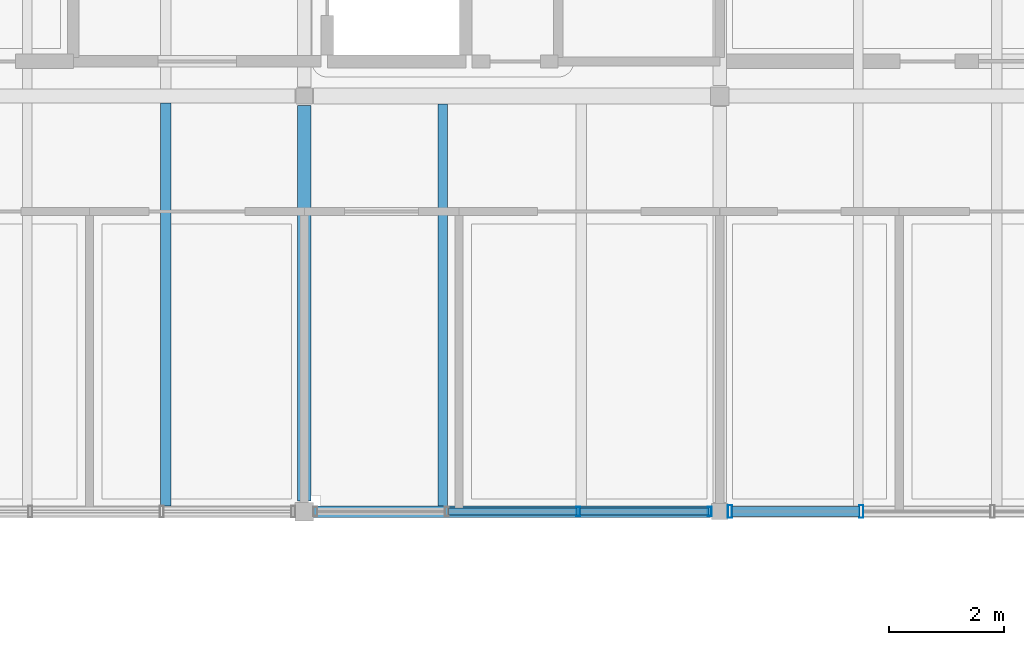
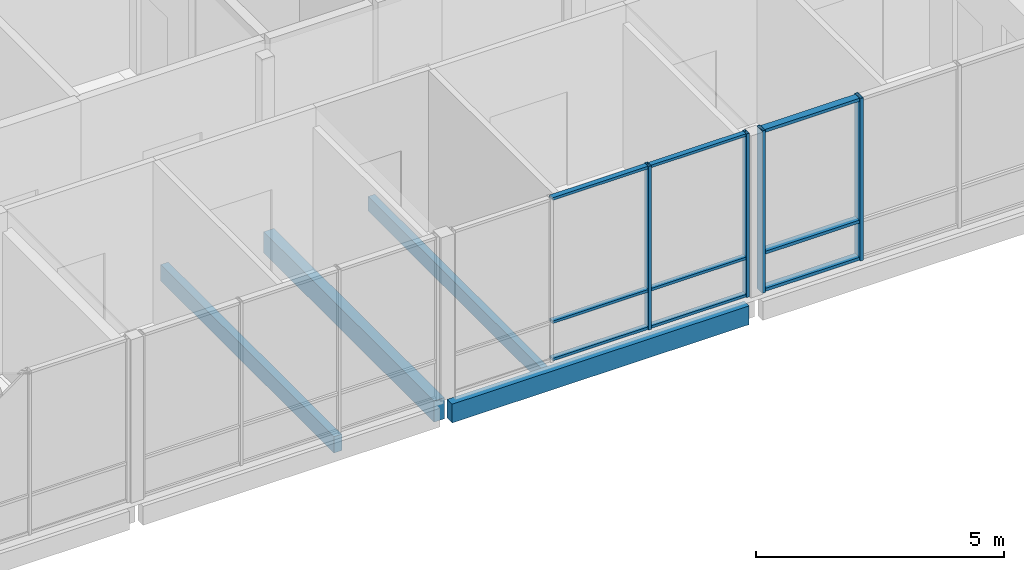
# One storey, part 17 of 57: 13 members, 4 beams, 2 elements without a shape of their own.
"""IFC4 building model written with IfcOpenShell, lengths in metres."""

from ifc_helpers import new_model, si_unit, direction, frame, origin, origin_2d, place, context, subcontext, project, spatial, rectangle, hollow_rectangle, extrude, material, material_profile, profile_set, type_object, element, aggregate, save


model = new_model("IFC4")

# Units and contexts
model_context = context("Model", 3, precision=1e-05, world=origin(), true_north=direction((0.0, 1.0)))
body_context = subcontext(model_context, "Body", "Model", "MODEL_VIEW")
ifc_project = project(units=[si_unit("LENGTHUNIT", "METRE"), si_unit("AREAUNIT", "SQUARE_METRE"), si_unit("VOLUMEUNIT", "CUBIC_METRE"), si_unit("PLANEANGLEUNIT", "RADIAN"), si_unit("MASSUNIT", "GRAM", prefix="KILO")], contexts=[model_context])

# Site, building, storey
site_placement = place(None, origin())
site = spatial("IfcSite", under=ifc_project, at=site_placement, CompositionType="ELEMENT")
building_placement = place(site_placement, origin())
building = spatial("IfcBuilding", under=site, at=building_placement, Name="Hawrajan Terrace Health Centre", CompositionType="ELEMENT")
storey_placement = place(building_placement, frame((0.0, 0.0, 13.199951171875)))
storey = spatial("IfcBuildingStorey", under=building, at=storey_placement, Name="L03", CompositionType="ELEMENT", Elevation=13.199951171875)

# Curtain wall, members
ifc_material_1 = material(Name="Anodized bronze aluminium and low-E solar glazing", Category="aluminium")
curtain_wall_type_1 = type_object("IfcCurtainWallType", Name="CW_Terrace_SeriesK1", PredefinedType="USERDEFINED", material=ifc_material_1)
curtain_wall_1_placement = place(storey_placement, origin())
curtain_wall_1 = element("IfcCurtainWall", 1, at=curtain_wall_1_placement, inside=storey, type_object=curtain_wall_type_1, Name="Curtain wall CW-L03-165", ObjectType="UNITISED CURTAIN WALL", PredefinedType="USERDEFINED")
ifc_material_2 = material(Name="Anodized bronze aluminium 6063-T6", Category="aluminium")
ifc_material_profile_1 = material_profile(ifc_material_2, hollow_rectangle(XDim=0.06494140625, YDim=0.159912109375, WallThickness=0.00390625, at=origin_2d()), Name="CW MUL 65x160")
ifc_profile_set_1 = profile_set([ifc_material_profile_1], Name="Anodized bronze aluminium 6063-T6")
member_type_1 = type_object("IfcMemberType", Name="CWMullion_65x160", PredefinedType="MULLION", material=ifc_profile_set_1)
member_1_placement = place(storey_placement, frame((52.54931640625, 45.39990234375, -0.0048828125), z_axis=(0.0, 0.0, 1.0), x_axis=(1.0, 0.0, 0.0)))
member_1 = element("IfcMember", 2, at=member_1_placement, type_object=member_type_1, Name="Mullion CW-L03-165-M3", PredefinedType="MULLION", context=body_context, shape_type="SweptSolid", body=[
    extrude(hollow_rectangle(XDim=0.06494140625, YDim=0.159912109375, WallThickness=0.00390625, at=origin_2d()), origin(), (0.0, 0.0, 1.0), 4.02001953125),
])
member_2_placement = place(storey_placement, frame((54.827392578125, 45.39990234375, -0.0048828125), z_axis=(0.0, 0.0, 1.0), x_axis=(1.0, 0.0, 0.0)))
member_2 = element("IfcMember", 3, at=member_2_placement, type_object=member_type_1, Name="Mullion CW-L03-165-M4", PredefinedType="MULLION", context=body_context, shape_type="SweptSolid", body=[
    extrude(hollow_rectangle(XDim=0.06494140625, YDim=0.159912109375, WallThickness=0.00390625, at=origin_2d()), origin(), (0.0, 0.0, 1.0), 4.02001953125),
])

curtain_wall_type_2 = type_object("IfcCurtainWallType", Name="CW_Diagnostic_SeriesM1", PredefinedType="USERDEFINED", material=ifc_material_1)
curtain_wall_2_placement = place(storey_placement, origin())
curtain_wall_2 = element("IfcCurtainWall", 4, at=curtain_wall_2_placement, inside=storey, type_object=curtain_wall_type_2, Name="Curtain wall CW-L03-167", ObjectType="UNITISED CURTAIN WALL", PredefinedType="USERDEFINED")
ifc_material_profile_2 = material_profile(ifc_material_2, hollow_rectangle(XDim=0.074951171875, YDim=0.219970703125, WallThickness=0.0048828125, at=origin_2d()), Name="CW MUL 75x220")
ifc_profile_set_2 = profile_set([ifc_material_profile_2], Name="Anodized bronze aluminium 6063-T6")
member_type_2 = type_object("IfcMemberType", Name="CWMullion_75x220", PredefinedType="MULLION", material=ifc_profile_set_2)
member_3_placement = place(storey_placement, frame((55.177490234375, 45.39990234375, -0.0048828125), z_axis=(0.0, 0.0, 1.0), x_axis=(1.0, 0.0, 0.0)))
member_3 = element("IfcMember", 5, at=member_3_placement, type_object=member_type_2, Name="Mullion CW-L03-167-M1", PredefinedType="MULLION", context=body_context, shape_type="SweptSolid", body=[
    extrude(hollow_rectangle(XDim=0.074951171875, YDim=0.219970703125, WallThickness=0.0048828125, at=origin_2d()), origin(), (0.0, 0.0, 1.0), 3.989990234375),
])
member_4_placement = place(storey_placement, frame((57.452392578125, 45.39990234375, -0.0048828125), z_axis=(0.0, 0.0, 1.0), x_axis=(1.0, 0.0, 0.0)))
member_4 = element("IfcMember", 6, at=member_4_placement, type_object=member_type_2, Name="Mullion CW-L03-167-M2", PredefinedType="MULLION", context=body_context, shape_type="SweptSolid", body=[
    extrude(hollow_rectangle(XDim=0.074951171875, YDim=0.219970703125, WallThickness=0.0048828125, at=origin_2d()), origin(), (0.0, 0.0, 1.0), 3.989990234375),
])

# Member
ifc_material_profile_3 = material_profile(ifc_material_2, hollow_rectangle(XDim=0.06494140625, YDim=0.1201171875, WallThickness=0.00341796875, at=origin_2d()), Name="CW TRN 65x120")
ifc_profile_set_3 = profile_set([ifc_material_profile_3], Name="Anodized bronze aluminium 6063-T6")
member_type_3 = type_object("IfcMemberType", Name="CWTransom_65x120", PredefinedType="USERDEFINED", material=ifc_profile_set_3)
member_5_placement = place(storey_placement, frame((50.29736328125, 45.39990234375, 0.032470703125), z_axis=(1.0, 0.0, 0.0), x_axis=(0.0, 0.0, 1.0)))
member_5 = element("IfcMember", 7, at=member_5_placement, type_object=member_type_3, Name="Transom CW-L03-165-T2-1", ObjectType="TRANSOM", PredefinedType="USERDEFINED", context=body_context, shape_type="SweptSolid", body=[
    extrude(hollow_rectangle(XDim=0.06494140625, YDim=0.1201171875, WallThickness=0.00341796875, at=origin_2d()), origin(), (0.0, 0.0, 1.0), 2.225341796875),
])

member_6_placement = place(storey_placement, frame((50.29736328125, 45.39990234375, 0.949951171875), z_axis=(1.0, 0.0, 0.0), x_axis=(0.0, 0.0, 1.0)))
member_6 = element("IfcMember", 8, at=member_6_placement, type_object=member_type_3, Name="Transom CW-L03-165-T2-2", ObjectType="TRANSOM", PredefinedType="USERDEFINED", context=body_context, shape_type="SweptSolid", body=[
    extrude(hollow_rectangle(XDim=0.06494140625, YDim=0.1201171875, WallThickness=0.00341796875, at=origin_2d()), origin(), (0.0, 0.0, 1.0), 2.225341796875),
])

member_7_placement = place(storey_placement, frame((50.29736328125, 45.39990234375, 3.9775390625), z_axis=(1.0, 0.0, 0.0), x_axis=(0.0, 0.0, 1.0)))
member_7 = element("IfcMember", 9, at=member_7_placement, type_object=member_type_3, Name="Transom CW-L03-165-T2-3", ObjectType="TRANSOM", PredefinedType="USERDEFINED", context=body_context, shape_type="SweptSolid", body=[
    extrude(hollow_rectangle(XDim=0.06494140625, YDim=0.1201171875, WallThickness=0.00341796875, at=origin_2d()), origin(), (0.0, 0.0, 1.0), 2.225341796875),
])

member_8_placement = place(storey_placement, frame((52.57568359375, 45.39990234375, 0.032470703125), z_axis=(1.0, 0.0, 0.0), x_axis=(0.0, 0.0, 1.0)))
member_8 = element("IfcMember", 10, at=member_8_placement, type_object=member_type_3, Name="Transom CW-L03-165-T3-1", ObjectType="TRANSOM", PredefinedType="USERDEFINED", context=body_context, shape_type="SweptSolid", body=[
    extrude(hollow_rectangle(XDim=0.06494140625, YDim=0.1201171875, WallThickness=0.00341796875, at=origin_2d()), origin(), (0.0, 0.0, 1.0), 2.225341796875),
])

member_9_placement = place(storey_placement, frame((52.57568359375, 45.39990234375, 0.949951171875), z_axis=(1.0, 0.0, 0.0), x_axis=(0.0, 0.0, 1.0)))
member_9 = element("IfcMember", 11, at=member_9_placement, type_object=member_type_3, Name="Transom CW-L03-165-T3-2", ObjectType="TRANSOM", PredefinedType="USERDEFINED", context=body_context, shape_type="SweptSolid", body=[
    extrude(hollow_rectangle(XDim=0.06494140625, YDim=0.1201171875, WallThickness=0.00341796875, at=origin_2d()), origin(), (0.0, 0.0, 1.0), 2.225341796875),
])

member_10_placement = place(storey_placement, frame((52.57568359375, 45.39990234375, 3.9775390625), z_axis=(1.0, 0.0, 0.0), x_axis=(0.0, 0.0, 1.0)))
member_10 = element("IfcMember", 12, at=member_10_placement, type_object=member_type_3, Name="Transom CW-L03-165-T3-3", ObjectType="TRANSOM", PredefinedType="USERDEFINED", context=body_context, shape_type="SweptSolid", body=[
    extrude(hollow_rectangle(XDim=0.06494140625, YDim=0.1201171875, WallThickness=0.00341796875, at=origin_2d()), origin(), (0.0, 0.0, 1.0), 2.225341796875),
])

aggregate(curtain_wall_1, [member_1, member_2, member_5, member_6, member_7, member_8, member_9, member_10])

ifc_material_profile_4 = material_profile(ifc_material_2, hollow_rectangle(XDim=0.074951171875, YDim=0.169921875, WallThickness=0.00439453125, at=origin_2d()), Name="CW TRN 75x170")
ifc_profile_set_4 = profile_set([ifc_material_profile_4], Name="Anodized bronze aluminium 6063-T6")
member_type_4 = type_object("IfcMemberType", Name="CWTransom_75x170", PredefinedType="USERDEFINED", material=ifc_profile_set_4)
member_11_placement = place(storey_placement, frame((55.208984375, 45.39990234375, 0.03759765625), z_axis=(1.0, 0.0, 0.0), x_axis=(0.0, 0.0, 1.0)))
member_11 = element("IfcMember", 13, at=member_11_placement, type_object=member_type_4, Name="Transom CW-L03-167-T1-1", ObjectType="TRANSOM", PredefinedType="USERDEFINED", context=body_context, shape_type="SweptSolid", body=[
    extrude(hollow_rectangle(XDim=0.074951171875, YDim=0.169921875, WallThickness=0.00439453125, at=origin_2d()), origin(), (0.0, 0.0, 1.0), 2.2119140625),
])

member_12_placement = place(storey_placement, frame((55.208984375, 45.39990234375, 0.949951171875), z_axis=(1.0, 0.0, 0.0), x_axis=(0.0, 0.0, 1.0)))
member_12 = element("IfcMember", 14, at=member_12_placement, type_object=member_type_4, Name="Transom CW-L03-167-T1-2", ObjectType="TRANSOM", PredefinedType="USERDEFINED", context=body_context, shape_type="SweptSolid", body=[
    extrude(hollow_rectangle(XDim=0.074951171875, YDim=0.169921875, WallThickness=0.00439453125, at=origin_2d()), origin(), (0.0, 0.0, 1.0), 2.2119140625),
])

member_13_placement = place(storey_placement, frame((55.208984375, 45.39990234375, 3.942626953125), z_axis=(1.0, 0.0, 0.0), x_axis=(0.0, 0.0, 1.0)))
member_13 = element("IfcMember", 15, at=member_13_placement, type_object=member_type_4, Name="Transom CW-L03-167-T1-3", ObjectType="TRANSOM", PredefinedType="USERDEFINED", context=body_context, shape_type="SweptSolid", body=[
    extrude(hollow_rectangle(XDim=0.074951171875, YDim=0.169921875, WallThickness=0.00439453125, at=origin_2d()), origin(), (0.0, 0.0, 1.0), 2.2119140625),
])

aggregate(curtain_wall_2, [member_3, member_4, member_11, member_12, member_13])

# Beams
ifc_material_3 = material(Name="Glulam GL32h", Category="wood")
ifc_material_profile_5 = material_profile(ifc_material_3, rectangle(XDim=0.239990234375, YDim=0.52001953125, at=origin_2d()), Name="GL BM 240x520")
ifc_profile_set_5 = profile_set([ifc_material_profile_5], Name="Glulam GL32h")
beam_type_1 = type_object("IfcBeamType", Name="GlulamGirder_240x520", PredefinedType="BEAM", material=ifc_profile_set_5)
beam_1_placement = place(storey_placement, frame((47.800048828125, 45.580078125, -0.469970703125), z_axis=(0.0, 1.0, 0.0), x_axis=(-1.0, 0.0, 0.0)))
element("IfcBeam", 16, at=beam_1_placement, inside=storey, type_object=beam_type_1, Name="Beam BM-Y-L03-W-X07-6", PredefinedType="BEAM", context=body_context, shape_type="SweptSolid", body=[
    extrude(rectangle(XDim=0.239990234375, YDim=0.52001953125, at=origin_2d()), origin(), (0.0, 0.0, 1.0), 6.85986328125),
])
ifc_material_4 = material(Name="Glulam GL28h", Category="wood")
ifc_material_profile_6 = material_profile(ifc_material_4, rectangle(XDim=0.159912109375, YDim=0.360107421875, at=origin_2d()), Name="GL JST 160x360")
ifc_profile_set_6 = profile_set([ifc_material_profile_6], Name="Glulam GL28h")
beam_type_2 = type_object("IfcBeamType", Name="GlulamJoist_160x360", PredefinedType="JOIST", material=ifc_profile_set_6)
beam_2_placement = place(storey_placement, frame((50.199951171875, 45.5, -0.389892578125), z_axis=(0.0, 1.0, 0.0), x_axis=(-1.0, 0.0, 0.0)))
element("IfcBeam", 17, at=beam_2_placement, inside=storey, type_object=beam_type_2, Name="Secondary joist JST-L03-W-07-6-1", PredefinedType="JOIST", context=body_context, shape_type="SweptSolid", body=[
    extrude(rectangle(XDim=0.159912109375, YDim=0.360107421875, at=origin_2d()), origin(), (0.0, 0.0, 1.0), 6.9599609375),
])
ifc_material_profile_7 = material_profile(ifc_material_4, rectangle(XDim=0.179931640625, YDim=0.39990234375, at=origin_2d()), Name="GL JST 180x400")
ifc_profile_set_7 = profile_set([ifc_material_profile_7], Name="Glulam GL28h")
beam_type_3 = type_object("IfcBeamType", Name="GlulamJoist_180x400", PredefinedType="JOIST", material=ifc_profile_set_7)
beam_3_placement = place(storey_placement, frame((45.39990234375, 45.5, -0.409912109375), z_axis=(0.0, 1.0, 0.0), x_axis=(-1.0, 0.0, 0.0)))
element("IfcBeam", 18, at=beam_3_placement, inside=storey, type_object=beam_type_3, Name="Secondary joist JST-L03-W-06-6-2", PredefinedType="JOIST", context=body_context, shape_type="SweptSolid", body=[
    extrude(rectangle(XDim=0.179931640625, YDim=0.39990234375, at=origin_2d()), origin(), (0.0, 0.0, 1.0), 6.97998046875),
])
ifc_material_profile_8 = material_profile(ifc_material_3, rectangle(XDim=0.199951171875, YDim=0.4599609375, at=origin_2d()), Name="GL SP 200x460")
ifc_profile_set_8 = profile_set([ifc_material_profile_8], Name="Glulam GL32h")
beam_type_4 = type_object("IfcBeamType", Name="GlulamSpandrel_200x460", PredefinedType="SPANDREL", material=ifc_profile_set_8)
beam_4_placement = place(storey_placement, frame((47.93994140625, 45.39990234375, -0.43994140625), z_axis=(1.0, 0.0, 0.0), x_axis=(0.0, 1.0, 0.0)))
element("IfcBeam", 19, at=beam_4_placement, inside=storey, type_object=beam_type_4, Name="Beam BM-X-L03-W-07-Y6", PredefinedType="SPANDREL", context=body_context, shape_type="SweptSolid", body=[
    extrude(rectangle(XDim=0.199951171875, YDim=0.4599609375, at=origin_2d()), origin(), (0.0, 0.0, 1.0), 6.900146484375),
])

save(model, "model.ifc")
